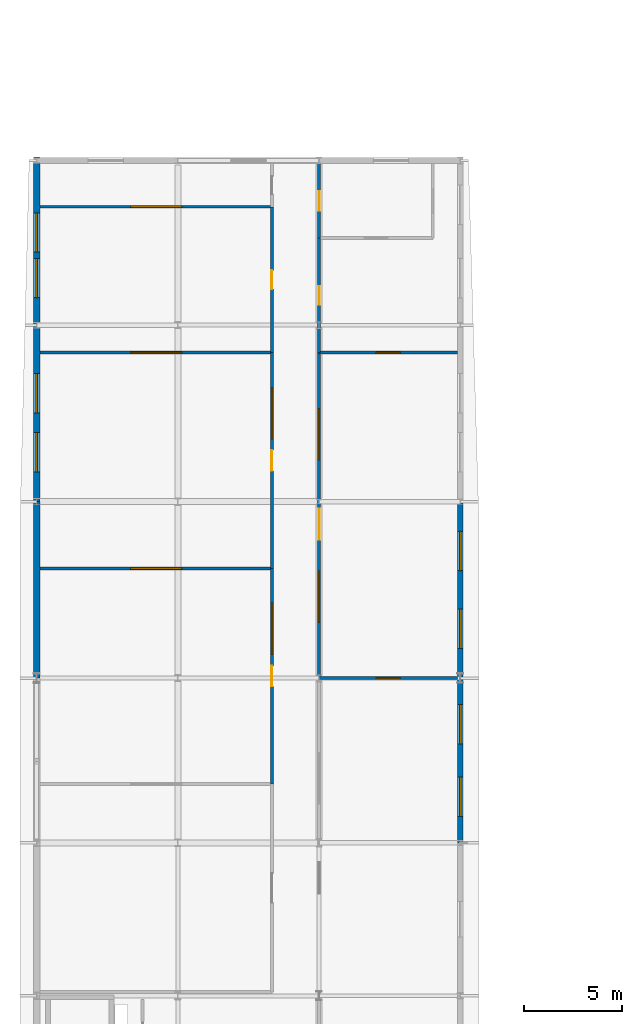
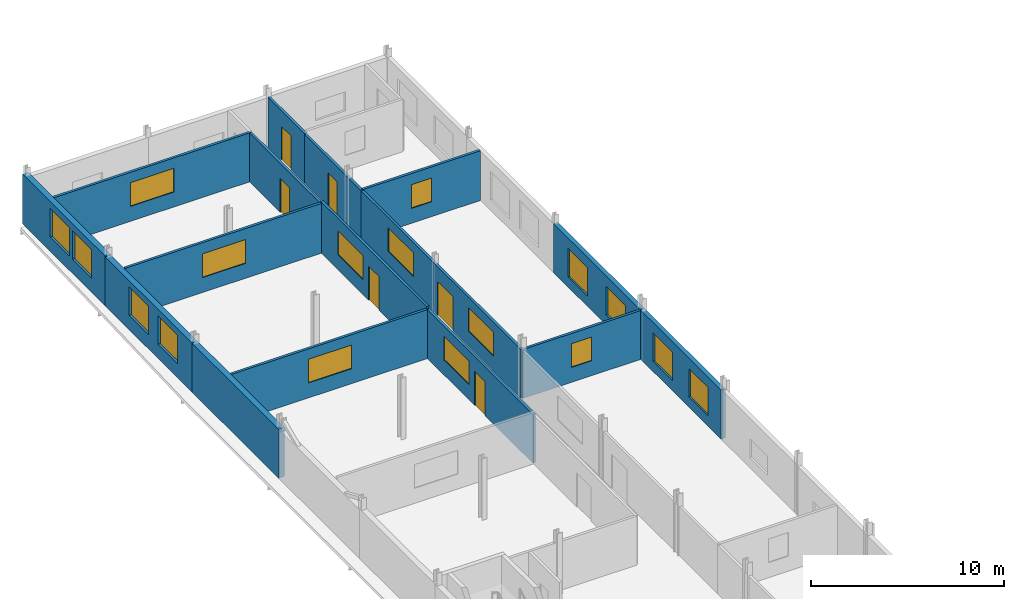
# One storey, part 22 of 30: 17 windows, 16 walls, 6 doors, 23 openings.
"""IFC4 building model written with IfcOpenShell, lengths in metres."""

from ifc_helpers import new_model, si_unit, direction, frame, frame_2d, origin, place, context, subcontext, project, spatial, rectangle, extrude, material, layer, layer_set, type_object, element, fill, save


model = new_model("IFC4")

# Units and contexts
model_context = context("Model", 3, precision=1e-05, world=origin(), true_north=direction((0.0, 1.0)))
body_context = subcontext(model_context, "Body", "Model", "MODEL_VIEW")
ifc_project = project(units=[si_unit("LENGTHUNIT", "METRE"), si_unit("AREAUNIT", "SQUARE_METRE"), si_unit("VOLUMEUNIT", "CUBIC_METRE"), si_unit("PLANEANGLEUNIT", "RADIAN"), si_unit("MASSUNIT", "GRAM", prefix="KILO")], contexts=[model_context])

# Site, building, storey
site_placement = place(None, origin())
site = spatial("IfcSite", under=ifc_project, at=site_placement, CompositionType="ELEMENT")
building_placement = place(site_placement, origin())
building = spatial("IfcBuilding", under=site, at=building_placement, Name="Vinh Khe Railworks Police Headquarters", CompositionType="ELEMENT")
storey_placement = place(building_placement, frame((0.0, 0.0, 21.0)))
storey = spatial("IfcBuildingStorey", under=building, at=storey_placement, Name="L05", CompositionType="ELEMENT", Elevation=21.0)

# Wall, openings, windows
ifc_material_1 = material(Name="Clay brickwork", Category="masonry")
ifc_layer_1 = layer(ifc_material_1, 0.260009765625)
ifc_layer_set_1 = layer_set([ifc_layer_1], Name="Clay brickwork")
wall_type_1 = type_object("IfcWallType", Name="EW-BRK-260", PredefinedType="SOLIDWALL", material=ifc_layer_set_1)
wall_1_placement = place(storey_placement, frame((22.199951171875, 96.0, 0.0), z_axis=(0.0, 0.0, 1.0), x_axis=(0.0, 1.0, 0.0)))
wall_1 = element("IfcWall", 1, at=wall_1_placement, inside=storey, type_object=wall_type_1, Name="Exterior Brick Wall EW-L05-V5E-13", PredefinedType="SOLIDWALL", context=body_context, shape_type="SweptSolid", body=[
    extrude(rectangle(XDim=8.39990234375, YDim=0.260009765625, at=frame_2d((4.199951171875, 0.0))), origin(), (0.0, 0.0, 1.0), 3.10498046875),
])
opening_1_placement = place(wall_1_placement, frame((1.35205078125, 0.0, 0.64990234375)))
opening_1 = element("IfcOpeningElement", 2, at=opening_1_placement, cuts=wall_1, Name="Opening WN-04", PredefinedType="OPENING", context=body_context, shape_type="SweptSolid", body=[
    extrude(rectangle(XDim=2.0, YDim=1.800048828125, at=frame_2d((1.0, 0.89990234375))), frame((0.0, 0.14501953125, 0.0), z_axis=(0.0, -1.0, 0.0), x_axis=(1.0, 0.0, 0.0)), (0.0, 0.0, 1.0), 0.289794921875),
])
opening_2_placement = place(wall_1_placement, frame((5.048095703125, 0.0, 0.64990234375)))
opening_2 = element("IfcOpeningElement", 3, at=opening_2_placement, cuts=wall_1, Name="Opening WN-04", PredefinedType="OPENING", context=body_context, shape_type="SweptSolid", body=[
    extrude(rectangle(XDim=2.0, YDim=1.800048828125, at=frame_2d((1.0, 0.89990234375))), frame((0.0, 0.14501953125, 0.0), z_axis=(0.0, -1.0, 0.0), x_axis=(1.0, 0.0, 0.0)), (0.0, 0.0, 1.0), 0.289794921875),
])
ifc_material_2 = material(Name="Double-glazed solar-control glass in dark steel frame", Category="steel")
window_type_1 = type_object("IfcWindowType", Name="WIN-WN-04", PartitioningType="DOUBLE_PANEL_VERTICAL", PredefinedType="WINDOW", material=ifc_material_2)
window_1_placement = place(opening_1_placement, origin())
window_1 = element("IfcWindow", 4, at=window_1_placement, inside=storey, type_object=window_type_1, Name="Casement Window WN-04", OverallHeight=1.800048828125, OverallWidth=2.0, PartitioningType="SINGLE_PANEL", PredefinedType="WINDOW", context=body_context, shape_type="SweptSolid", body=[
    extrude(rectangle(XDim=2.0, YDim=1.800048828125, at=frame_2d((1.0, 0.89990234375))), frame((0.0, 0.030029296875, 0.0), z_axis=(0.0, -1.0, 0.0), x_axis=(1.0, 0.0, 0.0)), (0.0, 0.0, 1.0), 0.06005859375),
])
fill(opening_1, window_1)
window_2_placement = place(opening_2_placement, origin())
window_2 = element("IfcWindow", 5, at=window_2_placement, inside=storey, type_object=window_type_1, Name="Casement Window WN-04", OverallHeight=1.800048828125, OverallWidth=2.0, PartitioningType="SINGLE_PANEL", PredefinedType="WINDOW", context=body_context, shape_type="SweptSolid", body=[
    extrude(rectangle(XDim=2.0, YDim=1.800048828125, at=frame_2d((1.0, 0.89990234375))), frame((0.0, 0.030029296875, 0.0), z_axis=(0.0, -1.0, 0.0), x_axis=(1.0, 0.0, 0.0)), (0.0, 0.0, 1.0), 0.06005859375),
])
fill(opening_2, window_2)

wall_2_placement = place(storey_placement, frame((22.199951171875, 104.39990234375, 0.0), z_axis=(0.0, 0.0, 1.0), x_axis=(0.0, 1.0, 0.0)))
wall_2 = element("IfcWall", 6, at=wall_2_placement, inside=storey, type_object=wall_type_1, Name="Exterior Brick Wall EW-L05-V5E-14", PredefinedType="SOLIDWALL", context=body_context, shape_type="SweptSolid", body=[
    extrude(rectangle(XDim=9.0, YDim=0.260009765625, at=frame_2d((4.5, 0.0))), origin(), (0.0, 0.0, 1.0), 3.10498046875),
])
opening_3_placement = place(wall_2_placement, frame((1.52001953125, 0.0, 0.64990234375)))
opening_3 = element("IfcOpeningElement", 7, at=opening_3_placement, cuts=wall_2, Name="Opening WN-04", PredefinedType="OPENING", context=body_context, shape_type="SweptSolid", body=[
    extrude(rectangle(XDim=2.0, YDim=1.800048828125, at=frame_2d((1.0, 0.89990234375))), frame((0.0, 0.14501953125, 0.0), z_axis=(0.0, -1.0, 0.0), x_axis=(1.0, 0.0, 0.0)), (0.0, 0.0, 1.0), 0.289794921875),
])
opening_4_placement = place(wall_2_placement, frame((5.47998046875, 0.0, 0.64990234375)))
opening_4 = element("IfcOpeningElement", 8, at=opening_4_placement, cuts=wall_2, Name="Opening WN-04", PredefinedType="OPENING", context=body_context, shape_type="SweptSolid", body=[
    extrude(rectangle(XDim=2.0, YDim=1.800048828125, at=frame_2d((1.0, 0.89990234375))), frame((0.0, 0.14501953125, 0.0), z_axis=(0.0, -1.0, 0.0), x_axis=(1.0, 0.0, 0.0)), (0.0, 0.0, 1.0), 0.289794921875),
])
window_3_placement = place(opening_3_placement, origin())
window_3 = element("IfcWindow", 9, at=window_3_placement, inside=storey, type_object=window_type_1, Name="Casement Window WN-04", OverallHeight=1.800048828125, OverallWidth=2.0, PartitioningType="SINGLE_PANEL", PredefinedType="WINDOW", context=body_context, shape_type="SweptSolid", body=[
    extrude(rectangle(XDim=2.0, YDim=1.800048828125, at=frame_2d((1.0, 0.89990234375))), frame((0.0, 0.030029296875, 0.0), z_axis=(0.0, -1.0, 0.0), x_axis=(1.0, 0.0, 0.0)), (0.0, 0.0, 1.0), 0.06005859375),
])
fill(opening_3, window_3)
window_4_placement = place(opening_4_placement, origin())
window_4 = element("IfcWindow", 10, at=window_4_placement, inside=storey, type_object=window_type_1, Name="Casement Window WN-04", OverallHeight=1.800048828125, OverallWidth=2.0, PartitioningType="SINGLE_PANEL", PredefinedType="WINDOW", context=body_context, shape_type="SweptSolid", body=[
    extrude(rectangle(XDim=2.0, YDim=1.800048828125, at=frame_2d((1.0, 0.89990234375))), frame((0.0, 0.030029296875, 0.0), z_axis=(0.0, -1.0, 0.0), x_axis=(1.0, 0.0, 0.0)), (0.0, 0.0, 1.0), 0.06005859375),
])
fill(opening_4, window_4)

# Wall
ifc_layer_2 = layer(ifc_material_1, 0.340087890625)
ifc_layer_set_2 = layer_set([ifc_layer_2], Name="Clay brickwork")
wall_type_2 = type_object("IfcWallType", Name="EW-BRK-340", PredefinedType="SOLIDWALL", material=ifc_layer_set_2)
wall_3_placement = place(storey_placement, frame((0.60009765625, 104.39990234375, 0.0), z_axis=(0.0, 0.0, 1.0), x_axis=(0.0, 1.0, 0.0)))
element("IfcWall", 11, at=wall_3_placement, inside=storey, type_object=wall_type_2, Name="Exterior Brick Wall EW-L05-V5W-14", PredefinedType="SOLIDWALL", context=body_context, shape_type="SweptSolid", body=[
    extrude(rectangle(XDim=9.0, YDim=0.340087890625, at=frame_2d((4.5, 0.0))), origin(), (0.0, 0.0, 1.0), 3.10498046875),
])

# Wall, openings, windows
wall_4_placement = place(storey_placement, frame((0.60009765625, 113.39990234375, 0.0), z_axis=(0.0, 0.0, 1.0), x_axis=(0.0, 1.0, 0.0)))
wall_4 = element("IfcWall", 12, at=wall_4_placement, inside=storey, type_object=wall_type_2, Name="Exterior Brick Wall EW-L05-V5W-15", PredefinedType="SOLIDWALL", context=body_context, shape_type="SweptSolid", body=[
    extrude(rectangle(XDim=9.0, YDim=0.340087890625, at=frame_2d((4.5, 0.0))), origin(), (0.0, 0.0, 1.0), 3.10498046875),
])
opening_5_placement = place(wall_4_placement, frame((1.52001953125, 0.0, 0.89990234375)))
opening_5 = element("IfcOpeningElement", 13, at=opening_5_placement, cuts=wall_4, Name="Opening WN-04", PredefinedType="OPENING", context=body_context, shape_type="SweptSolid", body=[
    extrude(rectangle(XDim=2.0, YDim=1.800048828125, at=frame_2d((1.0, 0.89990234375))), frame((0.0, 0.18505859375, 0.0), z_axis=(0.0, -1.0, 0.0), x_axis=(1.0, 0.0, 0.0)), (0.0, 0.0, 1.0), 0.369873046875),
])
opening_6_placement = place(wall_4_placement, frame((4.530029296875, 0.0, 0.89990234375)))
opening_6 = element("IfcOpeningElement", 14, at=opening_6_placement, cuts=wall_4, Name="Opening WN-04", PredefinedType="OPENING", context=body_context, shape_type="SweptSolid", body=[
    extrude(rectangle(XDim=2.0, YDim=1.800048828125, at=frame_2d((1.0, 0.89990234375))), frame((0.0, 0.18505859375, 0.0), z_axis=(0.0, -1.0, 0.0), x_axis=(1.0, 0.0, 0.0)), (0.0, 0.0, 1.0), 0.369873046875),
])
window_5_placement = place(opening_5_placement, origin())
window_5 = element("IfcWindow", 15, at=window_5_placement, inside=storey, type_object=window_type_1, Name="Casement Window WN-04", OverallHeight=1.800048828125, OverallWidth=2.0, PartitioningType="SINGLE_PANEL", PredefinedType="WINDOW", context=body_context, shape_type="SweptSolid", body=[
    extrude(rectangle(XDim=2.0, YDim=1.800048828125, at=frame_2d((1.0, 0.89990234375))), frame((0.0, 0.030029296875, 0.0), z_axis=(0.0, -1.0, 0.0), x_axis=(1.0, 0.0, 0.0)), (0.0, 0.0, 1.0), 0.06005859375),
])
fill(opening_5, window_5)
window_6_placement = place(opening_6_placement, origin())
window_6 = element("IfcWindow", 16, at=window_6_placement, inside=storey, type_object=window_type_1, Name="Casement Window WN-04", OverallHeight=1.800048828125, OverallWidth=2.0, PartitioningType="SINGLE_PANEL", PredefinedType="WINDOW", context=body_context, shape_type="SweptSolid", body=[
    extrude(rectangle(XDim=2.0, YDim=1.800048828125, at=frame_2d((1.0, 0.89990234375))), frame((0.0, 0.030029296875, 0.0), z_axis=(0.0, -1.0, 0.0), x_axis=(1.0, 0.0, 0.0)), (0.0, 0.0, 1.0), 0.06005859375),
])
fill(opening_6, window_6)

wall_5_placement = place(storey_placement, frame((0.60009765625, 122.39990234375, 0.0), z_axis=(0.0, 0.0, 1.0), x_axis=(0.0, 1.0, 0.0)))
wall_5 = element("IfcWall", 17, at=wall_5_placement, inside=storey, type_object=wall_type_2, Name="Exterior Brick Wall EW-L05-V5W-16", PredefinedType="SOLIDWALL", context=body_context, shape_type="SweptSolid", body=[
    extrude(rectangle(XDim=8.570068359375, YDim=0.340087890625, at=frame_2d((4.28515625, 0.0))), origin(), (0.0, 0.0, 1.0), 3.155029296875),
])
opening_7_placement = place(wall_5_placement, frame((1.399658203125, 0.0, 0.89990234375)))
opening_7 = element("IfcOpeningElement", 18, at=opening_7_placement, cuts=wall_5, Name="Opening WN-04", PredefinedType="OPENING", context=body_context, shape_type="SweptSolid", body=[
    extrude(rectangle(XDim=2.0, YDim=1.800048828125, at=frame_2d((1.0, 0.89990234375))), frame((0.0, 0.18505859375, 0.0), z_axis=(0.0, -1.0, 0.0), x_axis=(1.0, 0.0, 0.0)), (0.0, 0.0, 1.0), 0.369873046875),
])
opening_8_placement = place(wall_5_placement, frame((3.720458984375, 0.0, 0.89990234375)))
opening_8 = element("IfcOpeningElement", 19, at=opening_8_placement, cuts=wall_5, Name="Opening WN-04", PredefinedType="OPENING", context=body_context, shape_type="SweptSolid", body=[
    extrude(rectangle(XDim=2.0, YDim=1.800048828125, at=frame_2d((1.0, 0.89990234375))), frame((0.0, 0.18505859375, 0.0), z_axis=(0.0, -1.0, 0.0), x_axis=(1.0, 0.0, 0.0)), (0.0, 0.0, 1.0), 0.369873046875),
])
window_7_placement = place(opening_7_placement, origin())
window_7 = element("IfcWindow", 20, at=window_7_placement, inside=storey, type_object=window_type_1, Name="Casement Window WN-04", OverallHeight=1.800048828125, OverallWidth=2.0, PartitioningType="SINGLE_PANEL", PredefinedType="WINDOW", context=body_context, shape_type="SweptSolid", body=[
    extrude(rectangle(XDim=2.0, YDim=1.800048828125, at=frame_2d((1.0, 0.89990234375))), frame((0.0, 0.030029296875, 0.0), z_axis=(0.0, -1.0, 0.0), x_axis=(1.0, 0.0, 0.0)), (0.0, 0.0, 1.0), 0.06005859375),
])
fill(opening_7, window_7)
window_8_placement = place(opening_8_placement, origin())
window_8 = element("IfcWindow", 21, at=window_8_placement, inside=storey, type_object=window_type_1, Name="Casement Window WN-04", OverallHeight=1.800048828125, OverallWidth=2.0, PartitioningType="SINGLE_PANEL", PredefinedType="WINDOW", context=body_context, shape_type="SweptSolid", body=[
    extrude(rectangle(XDim=2.0, YDim=1.800048828125, at=frame_2d((1.0, 0.89990234375))), frame((0.0, 0.030029296875, 0.0), z_axis=(0.0, -1.0, 0.0), x_axis=(1.0, 0.0, 0.0)), (0.0, 0.0, 1.0), 0.06005859375),
])
fill(opening_8, window_8)

# Wall, opening, window
ifc_material_3 = material(Name="Gypsum plasterboard on steel stud", Category="steel")
ifc_layer_3 = layer(ifc_material_3, 0.1201171875)
ifc_layer_set_3 = layer_set([ifc_layer_3], Name="Gypsum plasterboard on steel stud")
wall_type_3 = type_object("IfcWallType", Name="IW-PART-120", PredefinedType="PARTITIONING", material=ifc_layer_set_3)
wall_6_placement = place(storey_placement, frame((0.780029296875, 110.0, 0.0), z_axis=(0.0, 0.0, 1.0), x_axis=(1.0, 0.0, 0.0)))
wall_6 = element("IfcWall", 22, at=wall_6_placement, inside=storey, type_object=wall_type_3, Name="Interior Partition W-L05-V5-INSP2-DIV", PredefinedType="PARTITIONING", context=body_context, shape_type="SweptSolid", body=[
    extrude(rectangle(XDim=11.820068359375, YDim=0.14990234375, at=frame_2d((5.91015625, 0.0))), origin(), (0.0, 0.0, 1.0), 3.10498046875),
])
opening_9_placement = place(wall_6_placement, frame((4.610107421875, 0.0, 0.949951171875)))
opening_9 = element("IfcOpeningElement", 23, at=opening_9_placement, cuts=wall_6, Name="Opening WN-07", PredefinedType="OPENING", context=body_context, shape_type="SweptSolid", body=[
    extrude(rectangle(XDim=2.60009765625, YDim=1.5, at=frame_2d((1.300048828125, 0.75))), frame((0.0, 0.08984375, 0.0), z_axis=(0.0, -1.0, 0.0), x_axis=(1.0, 0.0, 0.0)), (0.0, 0.0, 1.0), 0.1796875),
])
window_type_2 = type_object("IfcWindowType", Name="WIN-WN-07", PartitioningType="DOUBLE_PANEL_HORIZONTAL", PredefinedType="WINDOW", material=ifc_material_2)
window_9_placement = place(opening_9_placement, origin())
window_9 = element("IfcWindow", 24, at=window_9_placement, inside=storey, type_object=window_type_2, Name="Interior Acoustic Vision Window WN-07", OverallHeight=1.5, OverallWidth=2.60009765625, PartitioningType="SINGLE_PANEL", PredefinedType="WINDOW", context=body_context, shape_type="SweptSolid", body=[
    extrude(rectangle(XDim=2.60009765625, YDim=1.5, at=frame_2d((1.300048828125, 0.75))), frame((0.0, 0.030029296875, 0.0), z_axis=(0.0, -1.0, 0.0), x_axis=(1.0, 0.0, 0.0)), (0.0, 0.0, 1.0), 0.06005859375),
])
fill(opening_9, window_9)

wall_7_placement = place(storey_placement, frame((0.780029296875, 128.43994140625, 0.0), z_axis=(0.0, 0.0, 1.0), x_axis=(1.0, 0.0, 0.0)))
wall_7 = element("IfcWall", 25, at=wall_7_placement, inside=storey, type_object=wall_type_3, Name="Interior Partition W-L05-V5-WCL5S-DIV", PredefinedType="PARTITIONING", context=body_context, shape_type="SweptSolid", body=[
    extrude(rectangle(XDim=11.820068359375, YDim=0.14990234375, at=frame_2d((5.91015625, 0.0))), origin(), (0.0, 0.0, 1.0), 3.10498046875),
])
opening_10_placement = place(wall_7_placement, frame((4.610107421875, 0.0, 0.949951171875)))
opening_10 = element("IfcOpeningElement", 26, at=opening_10_placement, cuts=wall_7, Name="Opening WN-07", PredefinedType="OPENING", context=body_context, shape_type="SweptSolid", body=[
    extrude(rectangle(XDim=2.60009765625, YDim=1.5, at=frame_2d((1.300048828125, 0.75))), frame((0.0, 0.08984375, 0.0), z_axis=(0.0, -1.0, 0.0), x_axis=(1.0, 0.0, 0.0)), (0.0, 0.0, 1.0), 0.1796875),
])
window_10_placement = place(opening_10_placement, origin())
window_10 = element("IfcWindow", 27, at=window_10_placement, inside=storey, type_object=window_type_2, Name="Interior Acoustic Vision Window WN-07", OverallHeight=1.5, OverallWidth=2.60009765625, PartitioningType="SINGLE_PANEL", PredefinedType="WINDOW", context=body_context, shape_type="SweptSolid", body=[
    extrude(rectangle(XDim=2.60009765625, YDim=1.5, at=frame_2d((1.300048828125, 0.75))), frame((0.0, 0.030029296875, 0.0), z_axis=(0.0, -1.0, 0.0), x_axis=(1.0, 0.0, 0.0)), (0.0, 0.0, 1.0), 0.06005859375),
])
fill(opening_10, window_10)

wall_8_placement = place(storey_placement, frame((0.780029296875, 121.0, 0.0), z_axis=(0.0, 0.0, 1.0), x_axis=(1.0, 0.0, 0.0)))
wall_8 = element("IfcWall", 28, at=wall_8_placement, inside=storey, type_object=wall_type_3, Name="Interior Partition W-L05-V5-WCL5-DIV", PredefinedType="PARTITIONING", context=body_context, shape_type="SweptSolid", body=[
    extrude(rectangle(XDim=11.820068359375, YDim=0.14990234375, at=frame_2d((5.91015625, 0.0))), origin(), (0.0, 0.0, 1.0), 3.155029296875),
])
opening_11_placement = place(wall_8_placement, frame((4.610107421875, 0.0, 0.949951171875)))
opening_11 = element("IfcOpeningElement", 29, at=opening_11_placement, cuts=wall_8, Name="Opening WN-07", PredefinedType="OPENING", context=body_context, shape_type="SweptSolid", body=[
    extrude(rectangle(XDim=2.60009765625, YDim=1.5, at=frame_2d((1.300048828125, 0.75))), frame((0.0, 0.08984375, 0.0), z_axis=(0.0, -1.0, 0.0), x_axis=(1.0, 0.0, 0.0)), (0.0, 0.0, 1.0), 0.1796875),
])
window_11_placement = place(opening_11_placement, origin())
window_11 = element("IfcWindow", 30, at=window_11_placement, inside=storey, type_object=window_type_2, Name="Interior Acoustic Vision Window WN-07", OverallHeight=1.5, OverallWidth=2.60009765625, PartitioningType="SINGLE_PANEL", PredefinedType="WINDOW", context=body_context, shape_type="SweptSolid", body=[
    extrude(rectangle(XDim=2.60009765625, YDim=1.5, at=frame_2d((1.300048828125, 0.75))), frame((0.0, 0.030029296875, 0.0), z_axis=(0.0, -1.0, 0.0), x_axis=(1.0, 0.0, 0.0)), (0.0, 0.0, 1.0), 0.06005859375),
])
fill(opening_11, window_11)

wall_9_placement = place(storey_placement, frame((15.0, 104.39990234375, 0.0), z_axis=(0.0, 0.0, 1.0), x_axis=(1.0, 0.0, 0.0)))
wall_9 = element("IfcWall", 31, at=wall_9_placement, inside=storey, type_object=wall_type_3, Name="Interior Partition W-L05-V5-CONF5-DIV", PredefinedType="PARTITIONING", context=body_context, shape_type="SweptSolid", body=[
    extrude(rectangle(XDim=7.06005859375, YDim=0.14990234375, at=frame_2d((3.530029296875, 0.0))), origin(), (0.0, 0.0, 1.0), 3.094970703125),
])
opening_12_placement = place(wall_9_placement, frame((2.929931640625, 0.0, 0.949951171875)))
opening_12 = element("IfcOpeningElement", 32, at=opening_12_placement, cuts=wall_9, Name="Opening WN-10", PredefinedType="OPENING", context=body_context, shape_type="SweptSolid", body=[
    extrude(rectangle(XDim=1.199951171875, YDim=1.5, at=frame_2d((0.60009765625, 0.75))), frame((0.0, 0.08984375, 0.0), z_axis=(0.0, -1.0, 0.0), x_axis=(1.0, 0.0, 0.0)), (0.0, 0.0, 1.0), 0.1796875),
])
window_type_3 = type_object("IfcWindowType", Name="WIN-WN-10", PartitioningType="SINGLE_PANEL", PredefinedType="WINDOW", material=ifc_material_2)
window_12_placement = place(opening_12_placement, origin())
window_12 = element("IfcWindow", 33, at=window_12_placement, inside=storey, type_object=window_type_3, Name="Interior Acoustic Vision Window WN-10", OverallHeight=1.5, OverallWidth=1.199951171875, PartitioningType="SINGLE_PANEL", PredefinedType="WINDOW", context=body_context, shape_type="SweptSolid", body=[
    extrude(rectangle(XDim=1.199951171875, YDim=1.5, at=frame_2d((0.60009765625, 0.75))), frame((0.0, 0.030029296875, 0.0), z_axis=(0.0, -1.0, 0.0), x_axis=(1.0, 0.0, 0.0)), (0.0, 0.0, 1.0), 0.06005859375),
])
fill(opening_12, window_12)

wall_10_placement = place(storey_placement, frame((15.0, 121.0, 0.0), z_axis=(0.0, 0.0, 1.0), x_axis=(1.0, 0.0, 0.0)))
wall_10 = element("IfcWall", 34, at=wall_10_placement, inside=storey, type_object=wall_type_3, Name="Interior Partition W-L05-V5-AWCL5-DIV", PredefinedType="PARTITIONING", context=body_context, shape_type="SweptSolid", body=[
    extrude(rectangle(XDim=7.06005859375, YDim=0.14990234375, at=frame_2d((3.530029296875, 0.0))), origin(), (0.0, 0.0, 1.0), 3.155029296875),
])
opening_13_placement = place(wall_10_placement, frame((2.929931640625, 0.0, 0.949951171875)))
opening_13 = element("IfcOpeningElement", 35, at=opening_13_placement, cuts=wall_10, Name="Opening WN-10", PredefinedType="OPENING", context=body_context, shape_type="SweptSolid", body=[
    extrude(rectangle(XDim=1.199951171875, YDim=1.5, at=frame_2d((0.60009765625, 0.75))), frame((0.0, 0.08984375, 0.0), z_axis=(0.0, -1.0, 0.0), x_axis=(1.0, 0.0, 0.0)), (0.0, 0.0, 1.0), 0.1796875),
])
window_13_placement = place(opening_13_placement, origin())
window_13 = element("IfcWindow", 36, at=window_13_placement, inside=storey, type_object=window_type_3, Name="Interior Acoustic Vision Window WN-10", OverallHeight=1.5, OverallWidth=1.199951171875, PartitioningType="SINGLE_PANEL", PredefinedType="WINDOW", context=body_context, shape_type="SweptSolid", body=[
    extrude(rectangle(XDim=1.199951171875, YDim=1.5, at=frame_2d((0.60009765625, 0.75))), frame((0.0, 0.030029296875, 0.0), z_axis=(0.0, -1.0, 0.0), x_axis=(1.0, 0.0, 0.0)), (0.0, 0.0, 1.0), 0.06005859375),
])
fill(opening_13, window_13)

# Wall, openings, door, window
ifc_material_4 = material(Name="Gypsum plasterboard on acoustic steel stud", Category="steel")
ifc_layer_4 = layer(ifc_material_4, 0.14990234375)
ifc_layer_set_4 = layer_set([ifc_layer_4], Name="Gypsum plasterboard on acoustic steel stud")
wall_type_4 = type_object("IfcWallType", Name="IW-PART-150", PredefinedType="PARTITIONING", material=ifc_layer_set_4)
wall_11_placement = place(storey_placement, frame((12.60009765625, 99.0, 0.0), z_axis=(0.0, 0.0, 1.0), x_axis=(0.0, 1.0, 0.0)))
wall_11 = element("IfcWall", 37, at=wall_11_placement, inside=storey, type_object=wall_type_4, Name="Interior Partition W-L05-V5-INSP1-CW", PredefinedType="PARTITIONING", context=body_context, shape_type="SweptSolid", body=[
    extrude(rectangle(XDim=11.0, YDim=0.14990234375, at=frame_2d((5.5, 0.0))), origin(), (0.0, 0.0, 1.0), 3.094970703125),
])
opening_14_placement = place(wall_11_placement, frame((4.97509765625, 0.0, 0.0)))
opening_14 = element("IfcOpeningElement", 38, at=opening_14_placement, cuts=wall_11, Name="Opening D-02", PredefinedType="OPENING", context=body_context, shape_type="SweptSolid", body=[
    extrude(rectangle(XDim=1.050048828125, YDim=2.14990234375, at=frame_2d((0.52490234375, 1.074951171875))), frame((0.0, 0.08984375, 0.0), z_axis=(0.0, -1.0, 0.0), x_axis=(1.0, 0.0, 0.0)), (0.0, 0.0, 1.0), 0.1796875),
])
opening_15_placement = place(wall_11_placement, frame((6.6201171875, 0.0, 0.949951171875)))
opening_15 = element("IfcOpeningElement", 39, at=opening_15_placement, cuts=wall_11, Name="Opening WN-07", PredefinedType="OPENING", context=body_context, shape_type="SweptSolid", body=[
    extrude(rectangle(XDim=2.60009765625, YDim=1.5, at=frame_2d((1.300048828125, 0.75))), frame((0.0, 0.08984375, 0.0), z_axis=(0.0, -1.0, 0.0), x_axis=(1.0, 0.0, 0.0)), (0.0, 0.0, 1.0), 0.1796875),
])
ifc_material_5 = material(Name="Seasoned hardwood timber", Category="wood")
door_type_1 = type_object("IfcDoorType", Name="ID-1050x2150", OperationType="NOTDEFINED", PredefinedType="DOOR", material=ifc_material_5)
door_1_placement = place(opening_14_placement, origin())
door_1 = element("IfcDoor", 40, at=door_1_placement, inside=storey, type_object=door_type_1, Name="Regional Inspectorate Office A Door", OperationType="SINGLE_SWING_LEFT", OverallHeight=2.14990234375, OverallWidth=1.050048828125, PredefinedType="DOOR", context=body_context, shape_type="SweptSolid", body=[
    extrude(rectangle(XDim=1.050048828125, YDim=2.14990234375, at=frame_2d((0.52490234375, 1.074951171875))), frame((0.0, 0.02490234375, 0.0), z_axis=(0.0, -1.0, 0.0), x_axis=(1.0, 0.0, 0.0)), (0.0, 0.0, 1.0), 0.050048828125),
])
fill(opening_14, door_1)
window_14_placement = place(opening_15_placement, origin())
window_14 = element("IfcWindow", 41, at=window_14_placement, inside=storey, type_object=window_type_2, Name="Interior Acoustic Vision Window WN-07", OverallHeight=1.5, OverallWidth=2.60009765625, PartitioningType="SINGLE_PANEL", PredefinedType="WINDOW", context=body_context, shape_type="SweptSolid", body=[
    extrude(rectangle(XDim=2.60009765625, YDim=1.5, at=frame_2d((1.300048828125, 0.75))), frame((0.0, 0.030029296875, 0.0), z_axis=(0.0, -1.0, 0.0), x_axis=(1.0, 0.0, 0.0)), (0.0, 0.0, 1.0), 0.06005859375),
])
fill(opening_15, window_14)

wall_12_placement = place(storey_placement, frame((12.60009765625, 110.0, 0.0), z_axis=(0.0, 0.0, 1.0), x_axis=(0.0, 1.0, 0.0)))
wall_12 = element("IfcWall", 42, at=wall_12_placement, inside=storey, type_object=wall_type_4, Name="Interior Partition W-L05-V5-INSP2-CW", PredefinedType="PARTITIONING", context=body_context, shape_type="SweptSolid", body=[
    extrude(rectangle(XDim=11.0, YDim=0.14990234375, at=frame_2d((5.5, 0.0))), origin(), (0.0, 0.0, 1.0), 3.2451171875),
])
opening_16_placement = place(wall_12_placement, frame((4.97509765625, 0.0, 0.0)))
opening_16 = element("IfcOpeningElement", 43, at=opening_16_placement, cuts=wall_12, Name="Opening D-02", PredefinedType="OPENING", context=body_context, shape_type="SweptSolid", body=[
    extrude(rectangle(XDim=1.050048828125, YDim=2.14990234375, at=frame_2d((0.52490234375, 1.074951171875))), frame((0.0, 0.08984375, 0.0), z_axis=(0.0, -1.0, 0.0), x_axis=(1.0, 0.0, 0.0)), (0.0, 0.0, 1.0), 0.1796875),
])
opening_17_placement = place(wall_12_placement, frame((6.6201171875, 0.0, 0.949951171875)))
opening_17 = element("IfcOpeningElement", 44, at=opening_17_placement, cuts=wall_12, Name="Opening WN-07", PredefinedType="OPENING", context=body_context, shape_type="SweptSolid", body=[
    extrude(rectangle(XDim=2.60009765625, YDim=1.5, at=frame_2d((1.300048828125, 0.75))), frame((0.0, 0.08984375, 0.0), z_axis=(0.0, -1.0, 0.0), x_axis=(1.0, 0.0, 0.0)), (0.0, 0.0, 1.0), 0.1796875),
])
door_2_placement = place(opening_16_placement, origin())
door_2 = element("IfcDoor", 45, at=door_2_placement, inside=storey, type_object=door_type_1, Name="Regional Inspectorate Office B Door", OperationType="SINGLE_SWING_RIGHT", OverallHeight=2.14990234375, OverallWidth=1.050048828125, PredefinedType="DOOR", context=body_context, shape_type="SweptSolid", body=[
    extrude(rectangle(XDim=1.050048828125, YDim=2.14990234375, at=frame_2d((0.52490234375, 1.074951171875))), frame((0.0, 0.02490234375, 0.0), z_axis=(0.0, -1.0, 0.0), x_axis=(1.0, 0.0, 0.0)), (0.0, 0.0, 1.0), 0.050048828125),
])
fill(opening_16, door_2)
window_15_placement = place(opening_17_placement, origin())
window_15 = element("IfcWindow", 46, at=window_15_placement, inside=storey, type_object=window_type_2, Name="Interior Acoustic Vision Window WN-07", OverallHeight=1.5, OverallWidth=2.60009765625, PartitioningType="SINGLE_PANEL", PredefinedType="WINDOW", context=body_context, shape_type="SweptSolid", body=[
    extrude(rectangle(XDim=2.60009765625, YDim=1.5, at=frame_2d((1.300048828125, 0.75))), frame((0.0, 0.030029296875, 0.0), z_axis=(0.0, -1.0, 0.0), x_axis=(1.0, 0.0, 0.0)), (0.0, 0.0, 1.0), 0.06005859375),
])
fill(opening_17, window_15)

# Wall, opening, door
wall_13_placement = place(storey_placement, frame((12.60009765625, 121.0, 0.0), z_axis=(0.0, 0.0, 1.0), x_axis=(0.0, 1.0, 0.0)))
wall_13 = element("IfcWall", 47, at=wall_13_placement, inside=storey, type_object=wall_type_4, Name="Interior Partition W-L05-V5-WCL5S-CW", PredefinedType="PARTITIONING", context=body_context, shape_type="SweptSolid", body=[
    extrude(rectangle(XDim=7.43994140625, YDim=0.14990234375, at=frame_2d((3.719970703125, 0.0))), origin(), (0.0, 0.0, 1.0), 3.094970703125),
])
opening_18_placement = place(wall_13_placement, frame((3.2451171875, 0.0, 0.0)))
opening_18 = element("IfcOpeningElement", 48, at=opening_18_placement, cuts=wall_13, Name="Opening D-01", PredefinedType="OPENING", context=body_context, shape_type="SweptSolid", body=[
    extrude(rectangle(XDim=0.949951171875, YDim=2.14990234375, at=frame_2d((0.47509765625, 1.074951171875))), frame((0.0, 0.08984375, 0.0), z_axis=(0.0, -1.0, 0.0), x_axis=(1.0, 0.0, 0.0)), (0.0, 0.0, 1.0), 0.1796875),
])
door_type_2 = type_object("IfcDoorType", Name="ID-950x2150", OperationType="NOTDEFINED", PredefinedType="DOOR", material=ifc_material_5)
door_3_placement = place(opening_18_placement, origin())
door_3 = element("IfcDoor", 49, at=door_3_placement, inside=storey, type_object=door_type_2, Name="Floor Supplies Store Door", OperationType="SINGLE_SWING_LEFT", OverallHeight=2.14990234375, OverallWidth=0.949951171875, PredefinedType="DOOR", context=body_context, shape_type="SweptSolid", body=[
    extrude(rectangle(XDim=0.949951171875, YDim=2.14990234375, at=frame_2d((0.47509765625, 1.074951171875))), frame((0.0, 0.02490234375, 0.0), z_axis=(0.0, -1.0, 0.0), x_axis=(1.0, 0.0, 0.0)), (0.0, 0.0, 1.0), 0.050048828125),
])
fill(opening_18, door_3)

# Wall, openings, door, windows
wall_14_placement = place(storey_placement, frame((15.0, 104.39990234375, 0.0), z_axis=(0.0, 0.0, 1.0), x_axis=(0.0, 1.0, 0.0)))
wall_14 = element("IfcWall", 50, at=wall_14_placement, inside=storey, type_object=wall_type_4, Name="Interior Partition W-L05-V5-CONF5-CE", PredefinedType="PARTITIONING", context=body_context, shape_type="SweptSolid", body=[
    extrude(rectangle(XDim=16.60009765625, YDim=0.14990234375, at=frame_2d((8.300048828125, 0.0))), origin(), (0.0, 0.0, 1.0), 3.094970703125),
])
opening_19_placement = place(wall_14_placement, frame((7.050048828125, 0.0, 0.0)))
opening_19 = element("IfcOpeningElement", 51, at=opening_19_placement, cuts=wall_14, Name="Opening D-03", PredefinedType="OPENING", context=body_context, shape_type="SweptSolid", body=[
    extrude(rectangle(XDim=1.60009765625, YDim=2.14990234375, at=frame_2d((0.800048828125, 1.074951171875))), frame((0.0, 0.08984375, 0.0), z_axis=(0.0, -1.0, 0.0), x_axis=(1.0, 0.0, 0.0)), (0.0, 0.0, 1.0), 0.1796875),
])
opening_20_placement = place(wall_14_placement, frame((2.85009765625, 0.0, 0.949951171875)))
opening_20 = element("IfcOpeningElement", 52, at=opening_20_placement, cuts=wall_14, Name="Opening WN-07", PredefinedType="OPENING", context=body_context, shape_type="SweptSolid", body=[
    extrude(rectangle(XDim=2.60009765625, YDim=1.5, at=frame_2d((1.300048828125, 0.75))), frame((0.0, 0.08984375, 0.0), z_axis=(0.0, -1.0, 0.0), x_axis=(1.0, 0.0, 0.0)), (0.0, 0.0, 1.0), 0.1796875),
])
opening_21_placement = place(wall_14_placement, frame((11.14990234375, 0.0, 0.949951171875)))
opening_21 = element("IfcOpeningElement", 53, at=opening_21_placement, cuts=wall_14, Name="Opening WN-07", PredefinedType="OPENING", context=body_context, shape_type="SweptSolid", body=[
    extrude(rectangle(XDim=2.60009765625, YDim=1.5, at=frame_2d((1.300048828125, 0.75))), frame((0.0, 0.08984375, 0.0), z_axis=(0.0, -1.0, 0.0), x_axis=(1.0, 0.0, 0.0)), (0.0, 0.0, 1.0), 0.1796875),
])
ifc_material_6 = material(Name="Painted galvanised steel", Category="steel")
door_type_3 = type_object("IfcDoorType", Name="ID-1600x2150", OperationType="DOUBLE_DOOR_SINGLE_SWING", PredefinedType="DOOR", material=ifc_material_6)
door_4_placement = place(opening_19_placement, origin())
door_4 = element("IfcDoor", 54, at=door_4_placement, inside=storey, type_object=door_type_3, Name="Cyber Taskforce Briefing Room Door", OperationType="DOUBLE_DOOR_SINGLE_SWING", OverallHeight=2.14990234375, OverallWidth=1.60009765625, PredefinedType="DOOR", context=body_context, shape_type="SweptSolid", body=[
    extrude(rectangle(XDim=1.60009765625, YDim=2.14990234375, at=frame_2d((0.800048828125, 1.074951171875))), frame((0.0, 0.02490234375, 0.0), z_axis=(0.0, -1.0, 0.0), x_axis=(1.0, 0.0, 0.0)), (0.0, 0.0, 1.0), 0.050048828125),
])
fill(opening_19, door_4)
window_16_placement = place(opening_20_placement, origin())
window_16 = element("IfcWindow", 55, at=window_16_placement, inside=storey, type_object=window_type_2, Name="Interior Acoustic Vision Window WN-07", OverallHeight=1.5, OverallWidth=2.60009765625, PartitioningType="SINGLE_PANEL", PredefinedType="WINDOW", context=body_context, shape_type="SweptSolid", body=[
    extrude(rectangle(XDim=2.60009765625, YDim=1.5, at=frame_2d((1.300048828125, 0.75))), frame((0.0, 0.030029296875, 0.0), z_axis=(0.0, -1.0, 0.0), x_axis=(1.0, 0.0, 0.0)), (0.0, 0.0, 1.0), 0.06005859375),
])
fill(opening_20, window_16)
window_17_placement = place(opening_21_placement, origin())
window_17 = element("IfcWindow", 56, at=window_17_placement, inside=storey, type_object=window_type_2, Name="Interior Acoustic Vision Window WN-07", OverallHeight=1.5, OverallWidth=2.60009765625, PartitioningType="SINGLE_PANEL", PredefinedType="WINDOW", context=body_context, shape_type="SweptSolid", body=[
    extrude(rectangle(XDim=2.60009765625, YDim=1.5, at=frame_2d((1.300048828125, 0.75))), frame((0.0, 0.030029296875, 0.0), z_axis=(0.0, -1.0, 0.0), x_axis=(1.0, 0.0, 0.0)), (0.0, 0.0, 1.0), 0.06005859375),
])
fill(opening_21, window_17)

# Wall, opening, door
wall_15_placement = place(storey_placement, frame((15.0, 121.0, 0.0), z_axis=(0.0, 0.0, 1.0), x_axis=(0.0, 1.0, 0.0)))
wall_15 = element("IfcWall", 57, at=wall_15_placement, inside=storey, type_object=wall_type_4, Name="Interior Partition W-L05-V5-AWCL5S-CE", PredefinedType="PARTITIONING", context=body_context, shape_type="SweptSolid", body=[
    extrude(rectangle(XDim=5.846923828125, YDim=0.14990234375, at=frame_2d((2.92333984375, 0.0))), origin(), (0.0, 0.0, 1.0), 3.094970703125),
])
opening_22_placement = place(wall_15_placement, frame((2.447998046875, 0.0, 0.0)))
opening_22 = element("IfcOpeningElement", 58, at=opening_22_placement, cuts=wall_15, Name="Opening D-01", PredefinedType="OPENING", context=body_context, shape_type="SweptSolid", body=[
    extrude(rectangle(XDim=0.949951171875, YDim=2.14990234375, at=frame_2d((0.47509765625, 1.074951171875))), frame((0.0, 0.08984375, 0.0), z_axis=(0.0, -1.0, 0.0), x_axis=(1.0, 0.0, 0.0)), (0.0, 0.0, 1.0), 0.1796875),
])
door_5_placement = place(opening_22_placement, origin())
door_5 = element("IfcDoor", 59, at=door_5_placement, inside=storey, type_object=door_type_2, Name="Floor Supplies Store Door", OperationType="SINGLE_SWING_LEFT", OverallHeight=2.14990234375, OverallWidth=0.949951171875, PredefinedType="DOOR", context=body_context, shape_type="SweptSolid", body=[
    extrude(rectangle(XDim=0.949951171875, YDim=2.14990234375, at=frame_2d((0.47509765625, 1.074951171875))), frame((0.0, 0.02490234375, 0.0), z_axis=(0.0, -1.0, 0.0), x_axis=(1.0, 0.0, 0.0)), (0.0, 0.0, 1.0), 0.050048828125),
])
fill(opening_22, door_5)

wall_16_placement = place(storey_placement, frame((15.0, 126.846923828125, 0.0), z_axis=(0.0, 0.0, 1.0), x_axis=(0.0, 1.0, 0.0)))
wall_16 = element("IfcWall", 60, at=wall_16_placement, inside=storey, type_object=wall_type_4, Name="Interior Partition W-L05-V5-AWCL5-CE", PredefinedType="PARTITIONING", context=body_context, shape_type="SweptSolid", body=[
    extrude(rectangle(XDim=3.79296875, YDim=0.14990234375, at=frame_2d((1.896484375, 0.0))), origin(), (0.0, 0.0, 1.0), 3.14501953125),
])
opening_23_placement = place(wall_16_placement, frame((1.39599609375, 0.0, 0.0)))
opening_23 = element("IfcOpeningElement", 61, at=opening_23_placement, cuts=wall_16, Name="Opening D-05", PredefinedType="OPENING", context=body_context, shape_type="SweptSolid", body=[
    extrude(rectangle(XDim=1.0, YDim=2.14990234375, at=frame_2d((0.5, 1.074951171875))), frame((0.0, 0.08984375, 0.0), z_axis=(0.0, -1.0, 0.0), x_axis=(1.0, 0.0, 0.0)), (0.0, 0.0, 1.0), 0.1796875),
])
door_type_4 = type_object("IfcDoorType", Name="ID-1000x2150", OperationType="NOTDEFINED", PredefinedType="DOOR", material=ifc_material_5)
door_6_placement = place(opening_23_placement, origin())
door_6 = element("IfcDoor", 62, at=door_6_placement, inside=storey, type_object=door_type_4, Name="Accessible WC L05 Door", OperationType="SINGLE_SWING_RIGHT", OverallHeight=2.14990234375, OverallWidth=1.0, PredefinedType="DOOR", context=body_context, shape_type="SweptSolid", body=[
    extrude(rectangle(XDim=1.0, YDim=2.14990234375, at=frame_2d((0.5, 1.074951171875))), frame((0.0, 0.02490234375, 0.0), z_axis=(0.0, -1.0, 0.0), x_axis=(1.0, 0.0, 0.0)), (0.0, 0.0, 1.0), 0.050048828125),
])
fill(opening_23, door_6)

save(model, "model.ifc")
